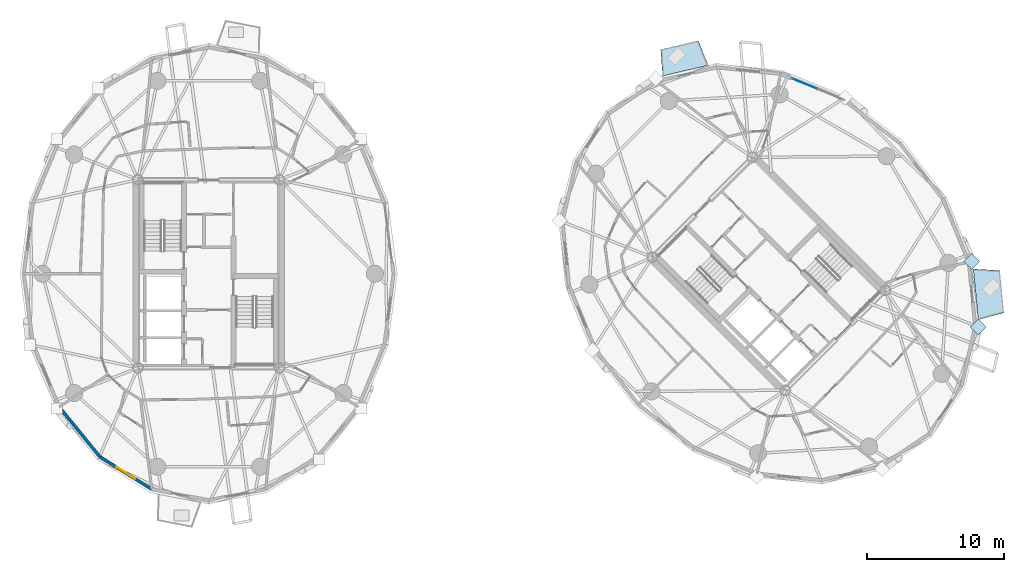
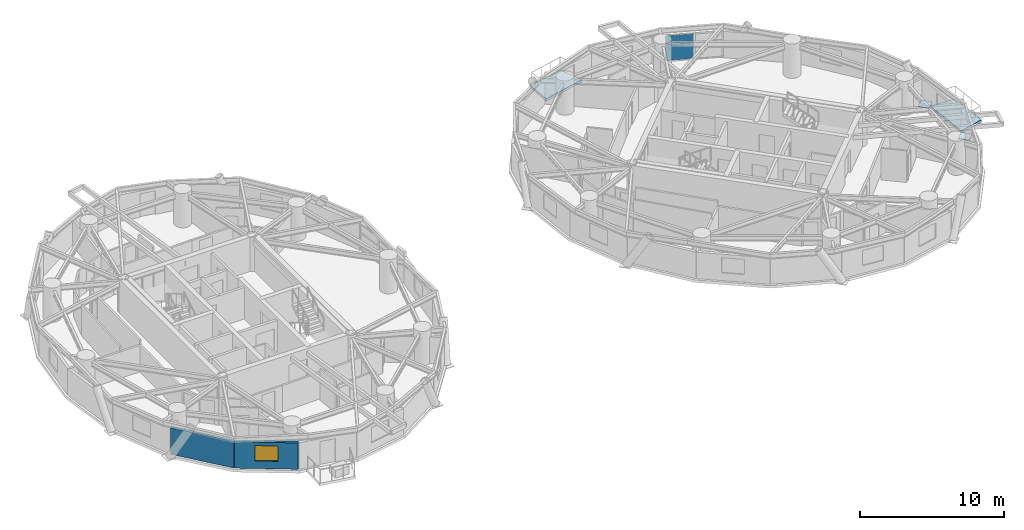
# One storey, part 9 of 19: 4 plates, 2 slabs, 2 walls, 1 window, 1 opening, 1 element without a shape of its own.
"""IFC4 building model written with IfcOpenShell, lengths in metres."""

from ifc_helpers import new_model, si_unit, direction, frame, frame_2d, origin, origin_2d, place, context, subcontext, project, spatial, polyline, rectangle, outline, extrude, source, transform, mapped, material, layer, layer_set, type_object, element, fill, aggregate, save


model = new_model("IFC4")

# Units and contexts
model_context = context("Model", 3, precision=1e-05, world=origin(), true_north=direction((0.0, 1.0)))
body_context = subcontext(model_context, "Body", "Model", "MODEL_VIEW")
ifc_project = project(units=[si_unit("LENGTHUNIT", "METRE"), si_unit("AREAUNIT", "SQUARE_METRE"), si_unit("VOLUMEUNIT", "CUBIC_METRE"), si_unit("PLANEANGLEUNIT", "RADIAN"), si_unit("MASSUNIT", "GRAM", prefix="KILO")], contexts=[model_context])

# Site, building, storey
site_placement = place(None, origin())
site = spatial("IfcSite", under=ifc_project, at=site_placement, CompositionType="ELEMENT")
building_placement = place(site_placement, origin())
building = spatial("IfcBuilding", under=site, at=building_placement, Name="Cununo Teusaquillo Station Towers", CompositionType="ELEMENT")
storey_placement = place(building_placement, frame((0.0, 0.0, 177.7900390625)))
storey = spatial("IfcBuildingStorey", under=building, at=storey_placement, Name="L56", CompositionType="ELEMENT", Elevation=177.7900390625)

# Slabs
ifc_material_1 = material(Name="Concrete C50/60", Category="concrete")
ifc_layer_1 = layer(ifc_material_1, 0.2099609375)
ifc_layer_set_1 = layer_set([ifc_layer_1], Name="Concrete C50/60")
slab_type = type_object("IfcSlabType", Name="SLB-BAL-210", PredefinedType="FLOOR", material=ifc_layer_set_1)
slab_1_placement = place(storey_placement, frame((0.0, 0.0, -0.2099609375)))
element("IfcSlab", 1, at=slab_1_placement, inside=storey, type_object=slab_type, Name="L56 Tower B Tree Balcony Slab 1", PredefinedType="FLOOR", context=body_context, shape_type="SweptSolid", body=[
    extrude(outline(polyline([(53.064208984375, 39.75927734375), (49.720703125, 38.979248046875), (49.57763671875, 40.912353515625), (52.3369140625, 41.55615234375), (53.064208984375, 39.75927734375)])), origin(), (0.0, 0.0, 1.0), 0.2099609375),
])
slab_2_placement = place(storey_placement, frame((0.0, 0.0, -0.2099609375)))
element("IfcSlab", 2, at=slab_2_placement, inside=storey, type_object=slab_type, Name="L56 Tower B Tree Balcony Slab 2", PredefinedType="FLOOR", context=body_context, shape_type="SweptSolid", body=[
    extrude(outline(polyline([(72.830078125, 21.148681640625), (72.46337890625, 24.8505859375), (74.3984375, 24.740966796875), (74.706298828125, 21.63623046875), (72.830078125, 21.148681640625)])), origin(), (0.0, 0.0, 1.0), 0.2099609375),
])

# Plates
ifc_material_2 = material(Name="Steel ASTM A572 Grade 50", Category="steel")
ifc_layer_2 = layer(ifc_material_2, 0.044921875)
ifc_layer_set_2 = layer_set([ifc_layer_2], Name="Steel ASTM A572 Grade 50")
plate_type_1 = type_object("IfcPlateType", Name="PLT-NODE-DN2", PredefinedType="USERDEFINED", material=ifc_layer_set_2)
shared_shape_1 = source(origin(), body_context, "Body", "SweptSolid", [
    extrude(rectangle(XDim=0.820068359375, YDim=0.820068359375, at=origin_2d()), origin(), (0.0, 0.0, 1.0), 0.044921875),
])
for number, where, z_axis, x_axis, name in (
    (3, (72.8203125, 20.6103515625, -0.16259765625), (0.0, 0.0, 1.0), (0.707106781187, 0.707106781187, 0.0), "L56 Tower B Diagrid Node Assembly C16"),
    (4, (72.3447265625, 25.38818359375, -0.16259765625), (0.0, 0.0, 1.0), (0.707106781187, 0.707106781187, 0.0), "L56 Tower B Diagrid Node Assembly C18"),
):
    element("IfcPlate", number, at=place(storey_placement, frame(where, z_axis=z_axis, x_axis=x_axis)), inside=storey, type_object=plate_type_1, Name=name, ObjectType="GUSSET PLATE", PredefinedType="USERDEFINED", context=body_context, shape_type="MappedRepresentation", body=[
        mapped(shared_shape_1, transform((0.0, 0.0, 0.0), x_axis=(1.0, 0.0, 0.0), y_axis=(0.0, 1.0, 0.0), z_axis=(0.0, 0.0, 1.0), scale=1.0)),
    ])

# Curtain wall, plates
ifc_material_3 = material(Name="Operable acoustic tinted low-E double glazing", Category="glass")
ifc_layer_3 = layer(ifc_material_3, 0.179931640625)
ifc_layer_set_3 = layer_set([ifc_layer_3], Name="Operable acoustic tinted low-E double glazing")
curtain_wall_type = type_object("IfcCurtainWallType", Name="CW-SYS-06", PredefinedType="USERDEFINED", material=ifc_layer_set_3)
curtain_wall_placement = place(storey_placement, origin())
curtain_wall = element("IfcCurtainWall", 5, at=curtain_wall_placement, inside=storey, type_object=curtain_wall_type, Name="L56 Tower B Facade Curtain Wall C01", ObjectType="OPERABLE GLAZING", PredefinedType="USERDEFINED")
ifc_material_4 = material(Name="Operable acoustic tinted low-E double glazing", Category="glass")
ifc_layer_4 = layer(ifc_material_4, 0.031982421875)
ifc_layer_set_4 = layer_set([ifc_layer_4], Name="Operable acoustic tinted low-E double glazing")
plate_type_2 = type_object("IfcPlateType", Name="CWP-OPER-32", PredefinedType="CURTAIN_PANEL", material=ifc_layer_set_4)
shared_shape_2 = source(origin(), body_context, "Body", "SweptSolid", [
    extrude(rectangle(XDim=1.97900390625, YDim=0.031982421875, at=origin_2d()), origin(), (0.0, 0.0, 1.0), 1.361572265625),
])
plate_1_placement = place(storey_placement, frame((60.1142578125, 38.4013671875, 0.06494140625), z_axis=(0.0, 0.0, 1.0), x_axis=(0.924480504803, -0.381229322376, 0.0)))
plate_1 = element("IfcPlate", 6, at=plate_1_placement, type_object=plate_type_2, Name="CW-06 panel 1.1", PredefinedType="CURTAIN_PANEL", context=body_context, shape_type="MappedRepresentation", body=[
    mapped(shared_shape_2, transform((0.0, 0.0, 0.0), x_axis=(1.0, 0.0, 0.0), y_axis=(0.0, 1.0, 0.0), z_axis=(0.0, 0.0, 1.0), scale=1.0)),
])
shared_shape_3 = source(origin(), body_context, "Body", "SweptSolid", [
    extrude(rectangle(XDim=1.97900390625, YDim=0.031982421875, at=origin_2d()), origin(), (0.0, 0.0, 1.0), 0.6884765625),
])
plate_2_placement = place(storey_placement, frame((60.1142578125, 38.4013671875, 1.491455078125), z_axis=(0.0, 0.0, 1.0), x_axis=(0.924480504803, -0.381229322376, 0.0)))
plate_2 = element("IfcPlate", 7, at=plate_2_placement, type_object=plate_type_2, Name="CW-06 panel 1.2", PredefinedType="CURTAIN_PANEL", context=body_context, shape_type="MappedRepresentation", body=[
    mapped(shared_shape_3, transform((0.0, 0.0, 0.0), x_axis=(1.0, 0.0, 0.0), y_axis=(0.0, 1.0, 0.0), z_axis=(0.0, 0.0, 1.0), scale=1.0)),
])
aggregate(curtain_wall, [plate_1, plate_2])

# Wall
ifc_material_5 = material(Name="Precast concrete C40/50", Category="concrete")
ifc_layer_5 = layer(ifc_material_5, 0.219970703125)
ifc_layer_set_5 = layer_set([ifc_layer_5], Name="Precast concrete C40/50")
wall_type = type_object("IfcWallType", Name="WL-EXT-220", PredefinedType="SOLIDWALL", material=ifc_layer_set_5)
wall_1_placement = place(storey_placement, frame((8.546630859375, 11.094482421875, 0.0), z_axis=(0.0, 0.0, 1.0), x_axis=(-0.632470615287, 0.774584353572, 0.0)))
element("IfcWall", 8, at=wall_1_placement, inside=storey, type_object=wall_type, Name="L56 Tower A Exterior Facade Wall C12", PredefinedType="SOLIDWALL", context=body_context, shape_type="SweptSolid", body=[
    extrude(rectangle(XDim=4.73291015625, YDim=0.219970703125, at=frame_2d((2.366455078125, 0.0))), origin(), (0.0, 0.0, 1.0), 2.244873046875),
])

# Wall, opening, window
wall_2_placement = place(storey_placement, frame((12.318603515625, 8.740966796875, 0.0), z_axis=(0.0, 0.0, 1.0), x_axis=(-0.848399108042, 0.529357113368, 0.0)))
wall_2 = element("IfcWall", 9, at=wall_2_placement, inside=storey, type_object=wall_type, Name="L56 Tower A Exterior Facade Wall C13", PredefinedType="SOLIDWALL", context=body_context, shape_type="SweptSolid", body=[
    extrude(rectangle(XDim=4.446044921875, YDim=0.219970703125, at=frame_2d((2.22314453125, 0.0))), origin(), (0.0, 0.0, 1.0), 2.244873046875),
])
shared_shape_4 = source(origin(), body_context, "Body", "SweptSolid", [
    extrude(rectangle(XDim=1.60009765625, YDim=1.300048828125, at=frame_2d((0.800048828125, 0.64990234375))), frame((0.0, 0.119873046875, 0.0), z_axis=(0.0, -1.0, 0.0), x_axis=(1.0, 0.0, 0.0)), (0.0, 0.0, 1.0), 0.239990234375),
])
opening_placement = place(wall_2_placement, frame((1.423095703125, 0.0, 0.64990234375)))
opening = element("IfcOpeningElement", 10, at=opening_placement, cuts=wall_2, Name="Opening WN-03", PredefinedType="OPENING", context=body_context, shape_type="MappedRepresentation", body=[
    mapped(shared_shape_4, transform((0.0, 0.0, 0.0), x_axis=(1.0, 0.0, 0.0), y_axis=(0.0, 1.0, 0.0), z_axis=(0.0, 0.0, 1.0), scale=1.0)),
])
ifc_material_6 = material(Name="Ceramic-fritted dark low-E double glazing", Category="glass")
window_type = type_object("IfcWindowType", Name="WIN-CORN-1600", PartitioningType="SINGLE_PANEL", PredefinedType="WINDOW", material=ifc_material_6)
shared_shape_5 = source(origin(), body_context, "Body", "SweptSolid", [
    extrude(rectangle(XDim=1.60009765625, YDim=1.300048828125, at=frame_2d((0.800048828125, 0.64990234375))), frame((0.0, 0.030029296875, 0.0), z_axis=(0.0, -1.0, 0.0), x_axis=(1.0, 0.0, 0.0)), (0.0, 0.0, 1.0), 0.06005859375),
])
window_placement = place(opening_placement, origin())
window = element("IfcWindow", 11, at=window_placement, inside=storey, type_object=window_type, Name="L56 Tower A Facade Window C13", OverallHeight=1.300048828125, OverallWidth=1.60009765625, PartitioningType="SINGLE_PANEL", PredefinedType="WINDOW", context=body_context, shape_type="MappedRepresentation", body=[
    mapped(shared_shape_5, transform((0.0, 0.0, 0.0), x_axis=(1.0, 0.0, 0.0), y_axis=(0.0, 1.0, 0.0), z_axis=(0.0, 0.0, 1.0), scale=1.0)),
])
fill(opening, window)

save(model, "model.ifc")
